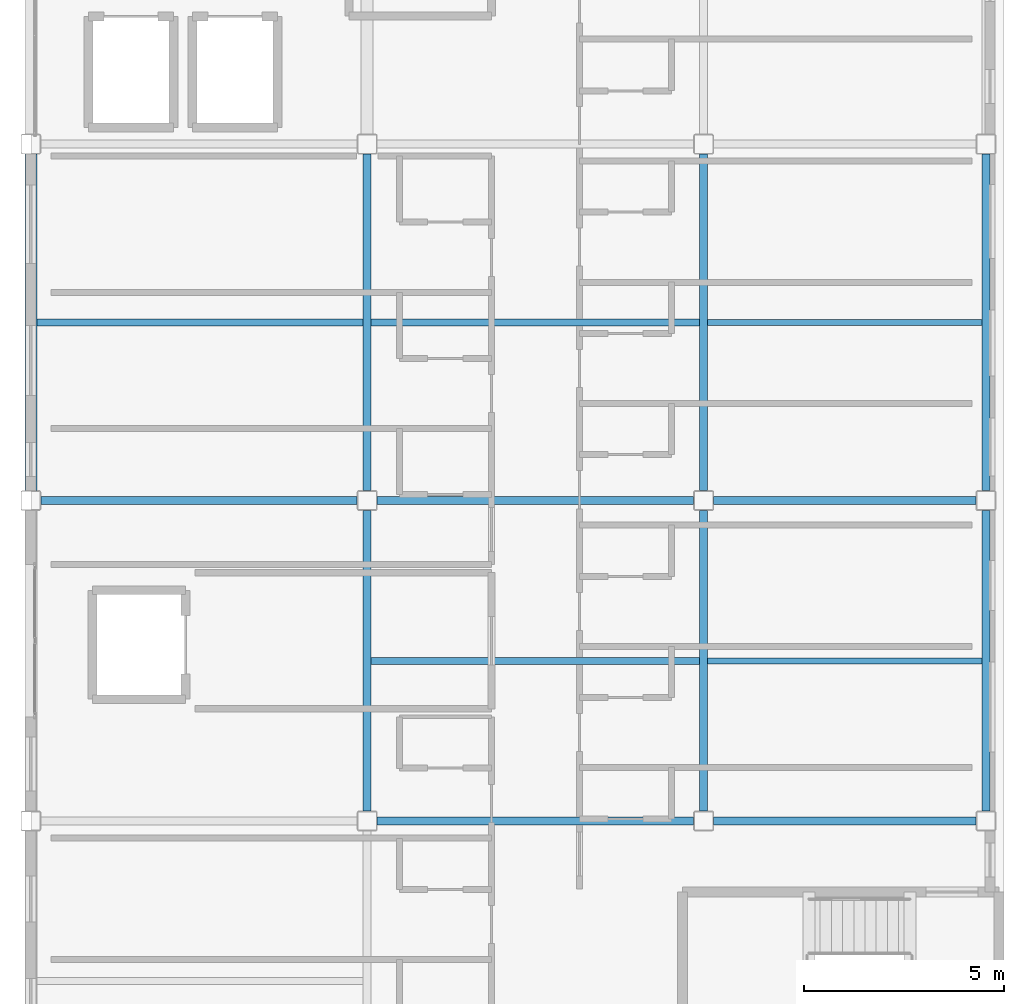
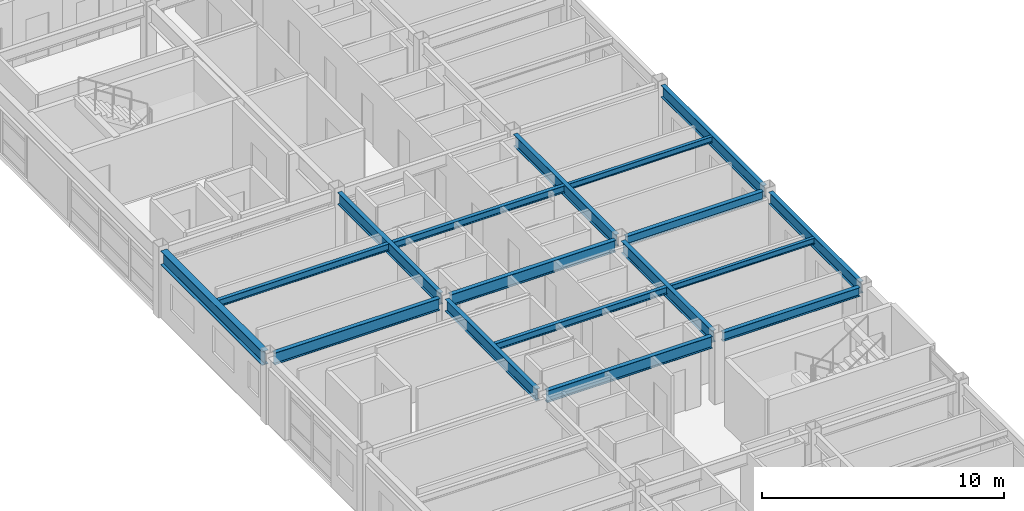
# One storey, part 9 of 33: 17 beams.
"""IFC4 building model written with IfcOpenShell, lengths in metres."""

import ifcopenshell
import ifcopenshell.guid

model = None  # the IFC model being written
_history = None  # IfcOwnerHistory: only IFC2X3 demands one
_inside = {}  # id of a spatial element -> (the spatial element, [elements in it])
_under = {}  # id of a project, library or spatial element -> (it, [spatial elements below it])
_declared = {}  # id of a project -> (the project, [libraries it declares])
_typed = {}  # id of a type object -> (the type object, [elements of that type])
_made_of = {}  # id of a material, layer set ... -> (it, [elements and type objects made of it])


def new_model(schema):
    """Start an empty IFC model of exactly this schema.

    Asked for "IFC4X3", IfcOpenShell would pick the latest addendum, in which some entities
    have other attributes; the version numbers below select the first issue.
    IFC2X3 requires an IfcOwnerHistory on every rooted entity: one is made here for all.
    """
    global model, _history
    if schema == "IFC4X3":
        model = ifcopenshell.file(schema_version=(4, 3, 0, 0))
    else:
        model = ifcopenshell.file(schema=schema)
    _inside.clear()
    _under.clear()
    _declared.clear()
    _typed.clear()
    _made_of.clear()
    _history = None
    if model.schema == "IFC2X3":
        org = make("IfcOrganization", Name="unknown")
        user = make(
            "IfcPersonAndOrganization",
            ThePerson=make("IfcPerson", FamilyName="unknown"),
            TheOrganization=org,
        )
        app = make(
            "IfcApplication",
            ApplicationDeveloper=org,
            Version="unknown",
            ApplicationFullName="unknown",
            ApplicationIdentifier="unknown",
        )
        _history = make(
            "IfcOwnerHistory",
            OwningUser=user,
            OwningApplication=app,
            ChangeAction="ADDED",
            CreationDate=0,
        )
    return model


def make(cls, **values):
    """One entity of the class cls with the attributes given. An attribute that is None is left unset."""
    return model.create_entity(
        cls, **{name: value for name, value in values.items() if value is not None}
    )


def rooted(cls, **values):
    """An entity with a GlobalId (a new one), such as an element, a storey or a relation."""
    return make(cls, GlobalId=ifcopenshell.guid.new(), OwnerHistory=_history, **values)


def si_unit(unit_type, name, prefix=None):
    """IfcSIUnit, for example si_unit("LENGTHUNIT", "METRE", prefix="MILLI")."""
    return make("IfcSIUnit", UnitType=unit_type, Prefix=prefix, Name=name)


def assignment(units):
    """IfcUnitAssignment: the units of a project."""
    return None if units is None else make("IfcUnitAssignment", Units=units)


def point(xyz):
    """IfcCartesianPoint."""
    return None if xyz is None else make("IfcCartesianPoint", Coordinates=xyz)


def direction(xyz):
    """IfcDirection."""
    return None if xyz is None else make("IfcDirection", DirectionRatios=xyz)


def frame(location, z_axis=None, x_axis=None):
    """IfcAxis2Placement3D, a coordinate frame: its origin and axes. An axis left out is left unset."""
    return make(
        "IfcAxis2Placement3D",
        Location=point(location),
        Axis=direction(z_axis),
        RefDirection=direction(x_axis),
    )


def frame_2d(location, x_axis=None):
    """IfcAxis2Placement2D, a coordinate frame in the plane: its origin and x axis."""
    return make(
        "IfcAxis2Placement2D", Location=point(location), RefDirection=direction(x_axis)
    )


def origin():
    """The frame at (0, 0, 0) with its axes left unset."""
    return frame((0.0, 0.0, 0.0))


def origin_2d():
    """The frame at (0, 0) in the plane with its x axis left unset."""
    return frame_2d((0.0, 0.0))


def place(relative_to, where):
    """IfcLocalPlacement: puts the frame where relative to a parent placement (None: the world)."""
    return make(
        "IfcLocalPlacement", PlacementRelTo=relative_to, RelativePlacement=where
    )


def context(
    kind, dimensions, precision=None, world=None, true_north=None, identifier=None
):
    """IfcGeometricRepresentationContext, for example the 3D "Model" context."""
    return make(
        "IfcGeometricRepresentationContext",
        ContextIdentifier=identifier,
        ContextType=kind,
        CoordinateSpaceDimension=dimensions,
        Precision=precision,
        WorldCoordinateSystem=world,
        TrueNorth=true_north,
    )


def subcontext(parent, identifier, kind, view, scale=None):
    """IfcGeometricRepresentationSubContext, for example "Body" below "Model"."""
    return make(
        "IfcGeometricRepresentationSubContext",
        ContextIdentifier=identifier,
        ContextType=kind,
        ParentContext=parent,
        TargetScale=scale,
        TargetView=view,
    )


def project(units=None, contexts=None):
    """IfcProject with its units and contexts."""
    return rooted(
        "IfcProject",
        Name="project",
        RepresentationContexts=contexts,
        UnitsInContext=assignment(units),
    )


def spatial(cls, under=None, at=None, **own):
    """A site, building, storey or space (cls), placed at a placement, below another one or the project."""
    s = rooted(cls, ObjectPlacement=at, **own)
    if under is not None:
        _under.setdefault(under.id(), (under, []))[1].append(s)
    return s


def profile(cls, at=None, kind="AREA", **sizes):
    """A parametric profile (cls). Its sizes go by their IFC names, for example OverallWidth=200.0."""
    return make(cls, ProfileType=kind, Position=at, **sizes)


def i_section(**sizes):
    """IfcIShapeProfileDef."""
    return profile("IfcIShapeProfileDef", **sizes)


def extrude(swept, where, along, depth):
    """IfcExtrudedAreaSolid: the profile swept, set in the frame where, extruded along a direction by depth."""
    return make(
        "IfcExtrudedAreaSolid",
        SweptArea=swept,
        Position=where,
        ExtrudedDirection=direction(along),
        Depth=depth,
    )


def shape(context_of_items, identifier, shape_type, items):
    """IfcShapeRepresentation: the items that make up one representation, for example the "Body"."""
    return make(
        "IfcShapeRepresentation",
        ContextOfItems=context_of_items,
        RepresentationIdentifier=identifier,
        RepresentationType=shape_type,
        Items=items,
    )


def material(Name=None, Category=None):
    """IfcMaterial."""
    return make("IfcMaterial", Name=Name, Category=Category)


def material_profile(
    of_material, cross_section, Name=None, Category=None, Priority=None
):
    """IfcMaterialProfile: a cross section and its material."""
    return make(
        "IfcMaterialProfile",
        Name=Name,
        Material=of_material,
        Profile=cross_section,
        Priority=Priority,
        Category=Category,
    )


def profile_set(profiles, Name=None, composite=None):
    """IfcMaterialProfileSet."""
    return make(
        "IfcMaterialProfileSet",
        Name=Name,
        MaterialProfiles=profiles,
        CompositeProfile=composite,
    )


def made_of(thing, what):
    """Note that an element or type object is made of a material, layer set ...; save() writes the relation."""
    if what is not None:
        _made_of.setdefault(what.id(), (what, []))[1].append(thing)
    return thing


def type_object(cls, material=None, **own):
    """A type object (cls), such as IfcWallType, which elements share."""
    return made_of(rooted(cls, **own), material)


def element(
    cls,
    number,
    at=None,
    inside=None,
    cuts=None,
    type_object=None,
    material=None,
    context=None,
    identifier="Body",
    shape_type=None,
    held_by="IfcProductDefinitionShape",
    body=None,
    shapes=None,
    **own,
):
    """One element of the class cls, such as IfcWall. Its Tag is "e" and its number.

    at: its placement. inside: the storey or other place that contains it. cuts: it is an
    opening in that element (IfcRelVoidsElement). A single representation is given by context,
    identifier, shape_type and body (its items); several are given by shapes. held_by: the class
    of the entity that holds the representations. save() writes the other relations.
    """
    e = rooted(cls, Tag="e%d" % number, ObjectPlacement=at, **own)
    if body is not None:
        shapes = [shape(context, identifier, shape_type, body)]
    if shapes is not None:
        e.Representation = make(held_by, Representations=shapes)
    if inside is not None:
        _inside.setdefault(inside.id(), (inside, []))[1].append(e)
    if cuts is not None:
        rooted(
            "IfcRelVoidsElement", RelatingBuildingElement=cuts, RelatedOpeningElement=e
        )
    if type_object is not None:
        _typed.setdefault(type_object.id(), (type_object, []))[1].append(e)
    return made_of(e, material)


def aggregate(whole, parts):
    """IfcRelAggregates: a whole, such as a stair, and the parts it consists of."""
    return rooted("IfcRelAggregates", RelatingObject=whole, RelatedObjects=parts)


def save(model, path):
    """Write the relations noted so far, then the file.

    IfcRelAggregates (storeys below a building ...), IfcRelContainedInSpatialStructure (elements
    in a storey), IfcRelDefinesByType, IfcRelAssociatesMaterial and IfcRelDeclares: one each for
    every whole, place, type object, material and project.
    """
    for whole, parts in _under.values():
        aggregate(whole, parts)
    for where, things in _inside.values():
        rooted(
            "IfcRelContainedInSpatialStructure",
            RelatedElements=things,
            RelatingStructure=where,
        )
    for kind, things in _typed.values():
        rooted("IfcRelDefinesByType", RelatedObjects=things, RelatingType=kind)
    for what, things in _made_of.values():
        rooted("IfcRelAssociatesMaterial", RelatedObjects=things, RelatingMaterial=what)
    for by, libraries in _declared.values():
        rooted("IfcRelDeclares", RelatingContext=by, RelatedDefinitions=libraries)
    model.write(path)


model = new_model("IFC4")

# Units and contexts
model_context = context("Model", 3, precision=1e-05, world=origin(), true_north=direction((0.0, 1.0)))
body_context = subcontext(model_context, "Body", "Model", "MODEL_VIEW")
ifc_project = project(units=[si_unit("LENGTHUNIT", "METRE"), si_unit("AREAUNIT", "SQUARE_METRE"), si_unit("VOLUMEUNIT", "CUBIC_METRE"), si_unit("PLANEANGLEUNIT", "RADIAN"), si_unit("MASSUNIT", "GRAM", prefix="KILO")], contexts=[model_context])

# Site, building, storey
site_placement = place(None, origin())
site = spatial("IfcSite", under=ifc_project, at=site_placement, CompositionType="ELEMENT")
building_placement = place(site_placement, origin())
building = spatial("IfcBuilding", under=site, at=building_placement, Name="Kazehara Bluff Congress Hotel", CompositionType="ELEMENT")
storey_placement = place(building_placement, frame((0.0, 0.0, 39.0)))
storey = spatial("IfcBuildingStorey", under=building, at=storey_placement, Name="L09", CompositionType="ELEMENT", Elevation=39.0)

# Beams
ifc_material_1 = material(Name="Steel SN490B", Category="steel")
ifc_material_profile_1 = material_profile(ifc_material_1, i_section(OverallWidth=0.199951171875, OverallDepth=0.60009765625, WebThickness=0.010986328125, FlangeThickness=0.01708984375, FilletRadius=0.012939453125, at=origin_2d()))
ifc_profile_set_1 = profile_set([ifc_material_profile_1], Name="Steel SN490B")
beam_type_1 = type_object("IfcBeamType", Name="TP-G-02", PredefinedType="BEAM", material=ifc_profile_set_1)
beam_1_placement = place(storey_placement, frame((152.10009765625, 24.25, 3.080078125), z_axis=(0.0, 1.0, 0.0), x_axis=(-1.0, 0.0, 0.0)))
element("IfcBeam", 1, at=beam_1_placement, inside=storey, type_object=beam_type_1, Name="L09 girder G-02 13", PredefinedType="BEAM", context=body_context, shape_type="SweptSolid", body=[
    extrude(i_section(OverallWidth=0.199951171875, OverallDepth=0.60009765625, WebThickness=0.010986328125, FlangeThickness=0.01708984375, FilletRadius=0.012939453125, at=origin_2d()), origin(), (0.0, 0.0, 1.0), 7.5),
])
beam_2_placement = place(storey_placement, frame((152.10009765625, 32.25, 3.080078125), z_axis=(0.0, 1.0, 0.0), x_axis=(-1.0, 0.0, 0.0)))
element("IfcBeam", 2, at=beam_2_placement, inside=storey, type_object=beam_type_1, Name="L09 girder G-02 14", PredefinedType="BEAM", context=body_context, shape_type="SweptSolid", body=[
    extrude(i_section(OverallWidth=0.199951171875, OverallDepth=0.60009765625, WebThickness=0.010986328125, FlangeThickness=0.01708984375, FilletRadius=0.012939453125, at=origin_2d()), origin(), (0.0, 0.0, 1.0), 8.39990234375),
])
beam_3_placement = place(storey_placement, frame((160.5, 24.25, 3.080078125), z_axis=(0.0, 1.0, 0.0), x_axis=(-1.0, 0.0, 0.0)))
element("IfcBeam", 3, at=beam_3_placement, inside=storey, type_object=beam_type_1, Name="L09 girder G-02 21", PredefinedType="BEAM", context=body_context, shape_type="SweptSolid", body=[
    extrude(i_section(OverallWidth=0.199951171875, OverallDepth=0.60009765625, WebThickness=0.010986328125, FlangeThickness=0.01708984375, FilletRadius=0.012939453125, at=origin_2d()), origin(), (0.0, 0.0, 1.0), 7.5),
])
beam_4_placement = place(storey_placement, frame((160.5, 32.25, 3.080078125), z_axis=(0.0, 1.0, 0.0), x_axis=(-1.0, 0.0, 0.0)))
element("IfcBeam", 4, at=beam_4_placement, inside=storey, type_object=beam_type_1, Name="L09 girder G-02 22", PredefinedType="BEAM", context=body_context, shape_type="SweptSolid", body=[
    extrude(i_section(OverallWidth=0.199951171875, OverallDepth=0.60009765625, WebThickness=0.010986328125, FlangeThickness=0.01708984375, FilletRadius=0.012939453125, at=origin_2d()), origin(), (0.0, 0.0, 1.0), 8.39990234375),
])
beam_5_placement = place(storey_placement, frame((167.550048828125, 24.25, 3.080078125), z_axis=(0.0, 1.0, 0.0), x_axis=(-1.0, 0.0, 0.0)))
element("IfcBeam", 5, at=beam_5_placement, inside=storey, type_object=beam_type_1, Name="L09 girder G-02 29", PredefinedType="BEAM", context=body_context, shape_type="SweptSolid", body=[
    extrude(i_section(OverallWidth=0.199951171875, OverallDepth=0.60009765625, WebThickness=0.010986328125, FlangeThickness=0.01708984375, FilletRadius=0.012939453125, at=origin_2d()), origin(), (0.0, 0.0, 1.0), 7.5),
])
beam_6_placement = place(storey_placement, frame((167.550048828125, 32.25, 3.080078125), z_axis=(0.0, 1.0, 0.0), x_axis=(-1.0, 0.0, 0.0)))
element("IfcBeam", 6, at=beam_6_placement, inside=storey, type_object=beam_type_1, Name="L09 girder G-02 30", PredefinedType="BEAM", context=body_context, shape_type="SweptSolid", body=[
    extrude(i_section(OverallWidth=0.199951171875, OverallDepth=0.60009765625, WebThickness=0.010986328125, FlangeThickness=0.01708984375, FilletRadius=0.012939453125, at=origin_2d()), origin(), (0.0, 0.0, 1.0), 8.39990234375),
])
beam_7_placement = place(storey_placement, frame((152.35009765625, 24.0, 3.080078125), z_axis=(1.0, 0.0, 0.0), x_axis=(0.0, 1.0, 0.0)))
element("IfcBeam", 7, at=beam_7_placement, inside=storey, type_object=beam_type_1, Name="L09 girder G-02 43", PredefinedType="BEAM", context=body_context, shape_type="SweptSolid", body=[
    extrude(i_section(OverallWidth=0.199951171875, OverallDepth=0.60009765625, WebThickness=0.010986328125, FlangeThickness=0.01708984375, FilletRadius=0.012939453125, at=origin_2d()), origin(), (0.0, 0.0, 1.0), 7.89990234375),
])
beam_8_placement = place(storey_placement, frame((143.949951171875, 32.0, 3.080078125), z_axis=(1.0, 0.0, 0.0), x_axis=(0.0, 1.0, 0.0)))
element("IfcBeam", 8, at=beam_8_placement, inside=storey, type_object=beam_type_1, Name="L09 girder G-02 45", PredefinedType="BEAM", context=body_context, shape_type="SweptSolid", body=[
    extrude(i_section(OverallWidth=0.199951171875, OverallDepth=0.60009765625, WebThickness=0.010986328125, FlangeThickness=0.01708984375, FilletRadius=0.012939453125, at=origin_2d()), origin(), (0.0, 0.0, 1.0), 7.900146484375),
])
beam_9_placement = place(storey_placement, frame((152.35009765625, 32.0, 3.080078125), z_axis=(1.0, 0.0, 0.0), x_axis=(0.0, 1.0, 0.0)))
element("IfcBeam", 9, at=beam_9_placement, inside=storey, type_object=beam_type_1, Name="L09 girder G-02 46", PredefinedType="BEAM", context=body_context, shape_type="SweptSolid", body=[
    extrude(i_section(OverallWidth=0.199951171875, OverallDepth=0.60009765625, WebThickness=0.010986328125, FlangeThickness=0.01708984375, FilletRadius=0.012939453125, at=origin_2d()), origin(), (0.0, 0.0, 1.0), 7.89990234375),
])
ifc_material_2 = material(Name="Steel SN490B", Category="steel")
ifc_material_profile_2 = material_profile(ifc_material_2, i_section(OverallWidth=0.199951171875, OverallDepth=0.449951171875, WebThickness=0.009033203125, FlangeThickness=0.013916015625, FilletRadius=0.012939453125, at=origin_2d()))
ifc_profile_set_2 = profile_set([ifc_material_profile_2], Name="Steel SN490B")
beam_type_2 = type_object("IfcBeamType", Name="TP-G-11", PredefinedType="BEAM", material=ifc_profile_set_2)
for number, where, z_axis, x_axis, name in (
    (10, (160.75, 24.0, 3.155029296875), (1.0, 0.0, 0.0), (0.0, 1.0, 0.0), "L09 girder G-11 44"),
    (11, (160.75, 32.0, 3.155029296875), (1.0, 0.0, 0.0), (0.0, 1.0, 0.0), "L09 girder G-11 47"),
):
    element("IfcBeam", number, at=place(storey_placement, frame(where, z_axis=z_axis, x_axis=x_axis)), inside=storey, type_object=beam_type_2, Name=name, PredefinedType="BEAM", context=body_context, shape_type="SweptSolid", body=[
        extrude(i_section(OverallWidth=0.199951171875, OverallDepth=0.449951171875, WebThickness=0.009033203125, FlangeThickness=0.013916015625, FilletRadius=0.012939453125, at=origin_2d()), origin(), (0.0, 0.0, 1.0), 6.550048828125),
    ])
ifc_material_3 = material(Name="Steel SN400B", Category="steel")
ifc_material_profile_3 = material_profile(ifc_material_3, i_section(OverallWidth=0.14990234375, OverallDepth=0.300048828125, WebThickness=0.006591796875, FlangeThickness=0.009033203125, FilletRadius=0.012939453125, at=origin_2d()))
ifc_profile_set_3 = profile_set([ifc_material_profile_3], Name="Steel SN400B")
beam_type_3 = type_object("IfcBeamType", Name="TP-J-01", PredefinedType="JOIST", material=ifc_profile_set_3)
for number, where, z_axis, x_axis, name in (
    (12, (160.60009765625, 28.0, 3.22998046875), (1.0, 0.0, 0.0), (0.0, 1.0, 0.0), "L09 secondary joist J-01 14"),
    (13, (160.60009765625, 36.449951171875, 3.22998046875), (1.0, 0.0, 0.0), (0.0, 1.0, 0.0), "L09 secondary joist J-01 15"),
):
    element("IfcBeam", number, at=place(storey_placement, frame(where, z_axis=z_axis, x_axis=x_axis)), inside=storey, type_object=beam_type_3, Name=name, PredefinedType="JOIST", context=body_context, shape_type="SweptSolid", body=[
        extrude(i_section(OverallWidth=0.14990234375, OverallDepth=0.300048828125, WebThickness=0.006591796875, FlangeThickness=0.009033203125, FilletRadius=0.012939453125, at=origin_2d()), origin(), (0.0, 0.0, 1.0), 6.849853515625),
    ])
ifc_material_4 = material(Name="Steel SN400B", Category="steel")
ifc_material_profile_4 = material_profile(ifc_material_4, i_section(OverallWidth=0.175048828125, OverallDepth=0.35009765625, WebThickness=0.007080078125, FlangeThickness=0.010986328125, FilletRadius=0.012939453125, at=origin_2d()))
ifc_profile_set_4 = profile_set([ifc_material_profile_4], Name="Steel SN400B")
beam_type_4 = type_object("IfcBeamType", Name="TP-J-02", PredefinedType="JOIST", material=ifc_profile_set_4)
beam_10_placement = place(storey_placement, frame((143.85009765625, 36.449951171875, 3.205078125), z_axis=(1.0, 0.0, 0.0), x_axis=(0.0, 1.0, 0.0)))
element("IfcBeam", 14, at=beam_10_placement, inside=storey, type_object=beam_type_4, Name="L09 secondary joist J-02 3", PredefinedType="JOIST", context=body_context, shape_type="SweptSolid", body=[
    extrude(i_section(OverallWidth=0.175048828125, OverallDepth=0.35009765625, WebThickness=0.007080078125, FlangeThickness=0.010986328125, FilletRadius=0.012939453125, at=origin_2d()), origin(), (0.0, 0.0, 1.0), 8.14990234375),
])
for number, where, z_axis, x_axis, name in (
    (15, (152.199951171875, 28.0, 3.205078125), (1.0, 0.0, 0.0), (0.0, 1.0, 0.0), "L09 secondary joist J-02 9"),
    (16, (152.199951171875, 36.449951171875, 3.205078125), (1.0, 0.0, 0.0), (0.0, 1.0, 0.0), "L09 secondary joist J-02 10"),
):
    element("IfcBeam", number, at=place(storey_placement, frame(where, z_axis=z_axis, x_axis=x_axis)), inside=storey, type_object=beam_type_4, Name=name, PredefinedType="JOIST", context=body_context, shape_type="SweptSolid", body=[
        extrude(i_section(OverallWidth=0.175048828125, OverallDepth=0.35009765625, WebThickness=0.007080078125, FlangeThickness=0.010986328125, FilletRadius=0.012939453125, at=origin_2d()), origin(), (0.0, 0.0, 1.0), 8.199951171875),
    ])
ifc_material_5 = material(Name="Steel SN490B", Category="steel")
ifc_material_profile_5 = material_profile(ifc_material_5, i_section(OverallWidth=0.300048828125, OverallDepth=0.699951171875, WebThickness=0.012939453125, FlangeThickness=0.02392578125, FilletRadius=0.01806640625, at=origin_2d()))
ifc_profile_set_5 = profile_set([ifc_material_profile_5], Name="Steel SN490B")
beam_type_5 = type_object("IfcBeamType", Name="TP-SP-03", PredefinedType="SPANDREL", material=ifc_profile_set_5)
beam_11_placement = place(storey_placement, frame((143.699951171875, 32.25, 3.030029296875), z_axis=(0.0, 1.0, 0.0), x_axis=(-1.0, 0.0, 0.0)))
element("IfcBeam", 17, at=beam_11_placement, inside=storey, type_object=beam_type_5, Name="L09 girder SP-03 4", PredefinedType="SPANDREL", context=body_context, shape_type="SweptSolid", body=[
    extrude(i_section(OverallWidth=0.300048828125, OverallDepth=0.699951171875, WebThickness=0.012939453125, FlangeThickness=0.02392578125, FilletRadius=0.01806640625, at=origin_2d()), origin(), (0.0, 0.0, 1.0), 8.39990234375),
])

save(model, "model.ifc")
